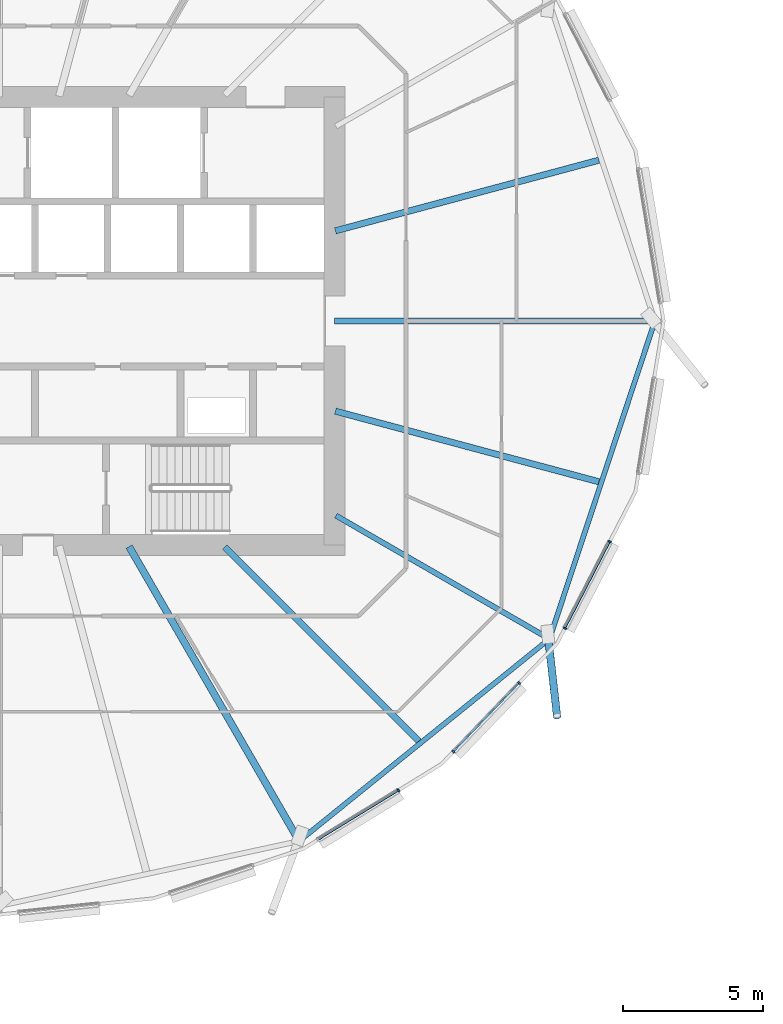
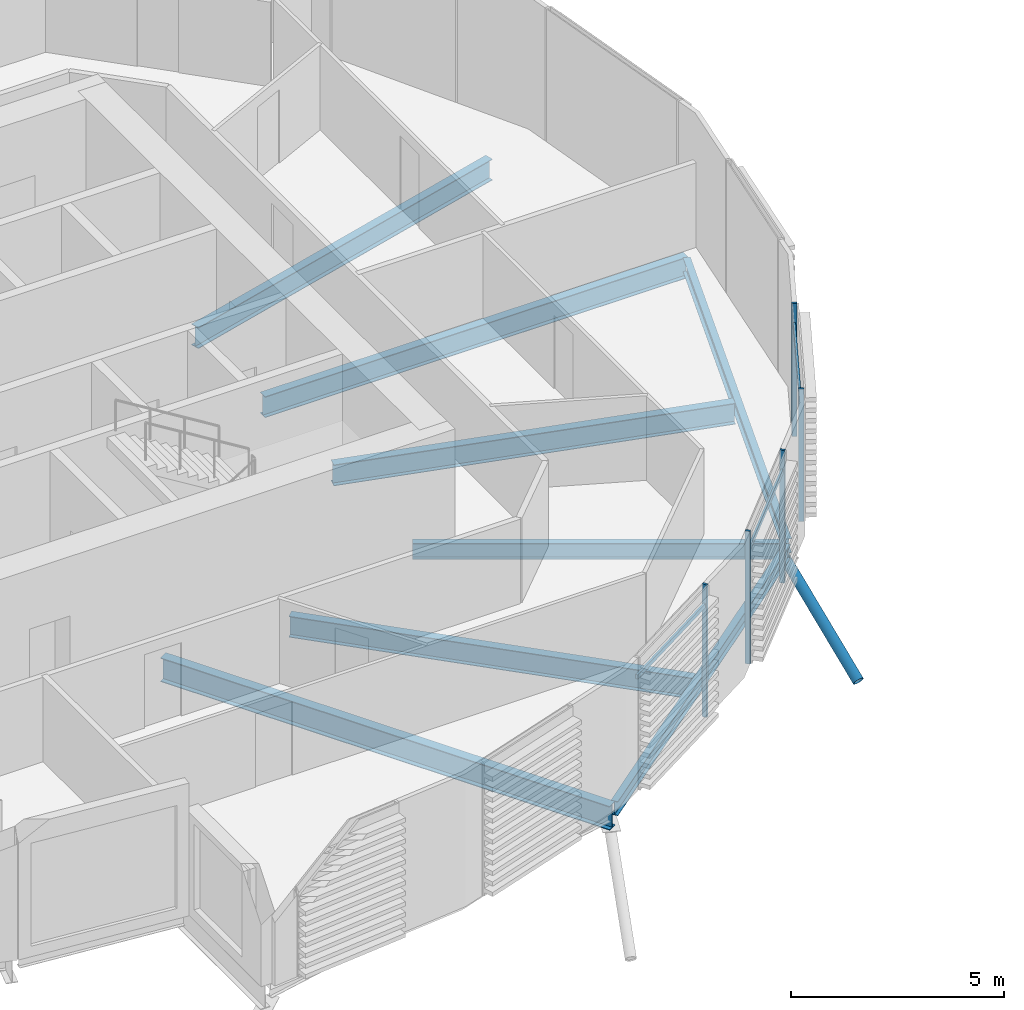
# One storey, part 7 of 42: 9 members, 8 beams, 1 element without a shape of its own.
"""IFC4 building model written with IfcOpenShell, lengths in metres."""

from ifc_helpers import new_model, si_unit, direction, frame, origin, origin_2d, place, context, subcontext, project, spatial, rectangle, hollow_circle, i_section, extrude, clip, halfspace, material, material_profile, profile_set, type_object, element, aggregate, save


model = new_model("IFC4")

# Units and contexts
model_context = context("Model", 3, precision=1e-05, world=origin(), true_north=direction((0.0, 1.0)))
body_context = subcontext(model_context, "Body", "Model", "MODEL_VIEW")
ifc_project = project(units=[si_unit("LENGTHUNIT", "METRE"), si_unit("AREAUNIT", "SQUARE_METRE"), si_unit("VOLUMEUNIT", "CUBIC_METRE"), si_unit("PLANEANGLEUNIT", "RADIAN"), si_unit("MASSUNIT", "GRAM", prefix="KILO")], contexts=[model_context])

# Site, building, storey
site_placement = place(None, origin())
site = spatial("IfcSite", under=ifc_project, at=site_placement, CompositionType="ELEMENT")
building_placement = place(site_placement, origin())
building = spatial("IfcBuilding", under=site, at=building_placement, Name="Rimbun Link Towers", CompositionType="ELEMENT")
storey_placement = place(building_placement, frame((0.0, 0.0, 85.39990234375)))
storey = spatial("IfcBuildingStorey", under=building, at=storey_placement, Name="L20", CompositionType="ELEMENT", Elevation=85.39990234375)

# Curtain wall, members
ifc_material_1 = material(Name="Aluminium 6063-T6 and low-iron glass", Category="aluminium")
curtain_wall_type = type_object("IfcCurtainWallType", Name="CW1-Z2 unitised vision wall (zone 2)", PredefinedType="NOTDEFINED", material=ifc_material_1)
curtain_wall_placement = place(storey_placement, origin())
curtain_wall = element("IfcCurtainWall", 1, at=curtain_wall_placement, inside=storey, type_object=curtain_wall_type, Name="CW1 L20 T1", PredefinedType="NOTDEFINED")
ifc_material_2 = material(Name="Aluminium 6063-T6", Category="aluminium")
ifc_material_profile_1 = material_profile(ifc_material_2, rectangle(XDim=0.1201171875, YDim=0.06005859375, at=origin_2d()), Name="MULLION 60X120")
ifc_profile_set_1 = profile_set([ifc_material_profile_1], Name="Aluminium 6063-T6")
member_type_1 = type_object("IfcMemberType", Name="CW1 mullion 60X120", PredefinedType="MULLION", material=ifc_profile_set_1)
member_1_placement = place(storey_placement, frame((-17.464111328125, -16.781494140625, 0.0), z_axis=(0.0, 0.0, 1.0), x_axis=(0.523237248968, -0.852187057689, 0.0)))
member_1 = element("IfcMember", 2, at=member_1_placement, type_object=member_type_1, Name="CW1 mullion", PredefinedType="MULLION", context=body_context, shape_type="SweptSolid", body=[
    extrude(rectangle(XDim=0.1201171875, YDim=0.06005859375, at=origin_2d()), origin(), (0.0, 0.0, 1.0), 3.800048828125),
])
member_2_placement = place(storey_placement, frame((-13.1494140625, -12.942138671875, 0.0), z_axis=(0.0, 0.0, 1.0), x_axis=(0.721839179549, -0.692060834658, 0.0)))
member_2 = element("IfcMember", 3, at=member_2_placement, type_object=member_type_1, Name="CW1 mullion", PredefinedType="MULLION", context=body_context, shape_type="SweptSolid", body=[
    extrude(rectangle(XDim=0.1201171875, YDim=0.06005859375, at=origin_2d()), origin(), (0.0, 0.0, 1.0), 3.800048828125),
])
member_3_placement = place(storey_placement, frame((-15.5029296875, -15.39697265625, 0.0), z_axis=(0.0, 0.0, 1.0), x_axis=(0.721839179549, -0.692060834658, 0.0)))
member_3 = element("IfcMember", 4, at=member_3_placement, type_object=member_type_1, Name="CW1 mullion", PredefinedType="MULLION", context=body_context, shape_type="SweptSolid", body=[
    extrude(rectangle(XDim=0.1201171875, YDim=0.06005859375, at=origin_2d()), origin(), (0.0, 0.0, 1.0), 3.800048828125),
])
member_4_placement = place(storey_placement, frame((-9.910400390625, -7.8876953125, 0.0), z_axis=(0.0, 0.0, 1.0), x_axis=(0.888154791602, -0.459544411514, 0.0)))
member_4 = element("IfcMember", 5, at=member_4_placement, type_object=member_type_1, Name="CW1 mullion", PredefinedType="MULLION", context=body_context, shape_type="SweptSolid", body=[
    extrude(rectangle(XDim=0.1201171875, YDim=0.06005859375, at=origin_2d()), origin(), (0.0, 0.0, 1.0), 3.800048828125),
])
member_5_placement = place(storey_placement, frame((-11.514404296875, -10.98779296875, 0.0), z_axis=(0.0, 0.0, 1.0), x_axis=(0.888154791602, -0.459544411514, 0.0)))
member_5 = element("IfcMember", 6, at=member_5_placement, type_object=member_type_1, Name="CW1 mullion", PredefinedType="MULLION", context=body_context, shape_type="SweptSolid", body=[
    extrude(rectangle(XDim=0.1201171875, YDim=0.06005859375, at=origin_2d()), origin(), (0.0, 0.0, 1.0), 3.800048828125),
])
ifc_material_3 = material(Name="Aluminium 6063-T6", Category="aluminium")
ifc_material_profile_2 = material_profile(ifc_material_3, rectangle(XDim=0.06005859375, YDim=0.1201171875, at=origin_2d()), Name="TRANSOM 60X120")
ifc_profile_set_2 = profile_set([ifc_material_profile_2], Name="Aluminium 6063-T6")
member_type_2 = type_object("IfcMemberType", Name="CW1 transom 60X120", PredefinedType="USERDEFINED", material=ifc_profile_set_2)
member_6_placement = place(storey_placement, frame((-17.49072265625, -16.79541015625, 3.2001953125), z_axis=(-0.852167775137, -0.523268652814, 0.0), x_axis=(0.523268652814, -0.852167775137, 0.0)))
member_6 = element("IfcMember", 7, at=member_6_placement, type_object=member_type_2, Name="CW1 transom", ObjectType="TRANSOM", PredefinedType="USERDEFINED", context=body_context, shape_type="SweptSolid", body=[
    extrude(rectangle(XDim=0.06005859375, YDim=0.1201171875, at=origin_2d()), origin(), (0.0, 0.0, 1.0), 3.321044921875),
])
member_7_placement = place(storey_placement, frame((-13.171630859375, -12.96240234375, 3.2001953125), z_axis=(-0.692078357172, -0.721822379491, 0.0), x_axis=(0.721822379491, -0.692078357172, 0.0)))
member_7 = element("IfcMember", 8, at=member_7_placement, type_object=member_type_2, Name="CW1 transom", ObjectType="TRANSOM", PredefinedType="USERDEFINED", context=body_context, shape_type="SweptSolid", body=[
    extrude(rectangle(XDim=0.06005859375, YDim=0.1201171875, at=origin_2d()), origin(), (0.0, 0.0, 1.0), 3.340576171875),
])
member_8_placement = place(storey_placement, frame((-9.92578125, -7.91357421875, 3.2001953125), z_axis=(-0.459554574482, -0.888149533059, 0.0), x_axis=(0.888149533059, -0.459554574482, 0.0)))
member_8 = element("IfcMember", 9, at=member_8_placement, type_object=member_type_2, Name="CW1 transom", ObjectType="TRANSOM", PredefinedType="USERDEFINED", context=body_context, shape_type="SweptSolid", body=[
    extrude(rectangle(XDim=0.06005859375, YDim=0.1201171875, at=origin_2d()), origin(), (0.0, 0.0, 1.0), 3.430419921875),
])
aggregate(curtain_wall, [member_1, member_2, member_3, member_4, member_5, member_6, member_7, member_8])

# Member
ifc_material_4 = material(Name="Steel S355J2H", Category="steel")
ifc_material_profile_3 = material_profile(ifc_material_4, hollow_circle(Radius=0.136474609375, WallThickness=0.012451171875, at=origin_2d()), Name="CHS 273x12.5")
ifc_profile_set_3 = profile_set([ifc_material_profile_3], Name="Steel S355J2H")
member_type_3 = type_object("IfcMemberType", Name="Floor edge link CHS 273x12.5", PredefinedType="BRACE", material=ifc_profile_set_3)
member_9_placement = place(storey_placement, frame((-12.109619140625, -11.33935546875, -0.727783203125), z_axis=(0.093828002495, -0.832669307195, -0.545763804959), x_axis=(0.993711054176, 0.111974732904, 0.0)))
element("IfcMember", 10, at=member_9_placement, inside=storey, type_object=member_type_3, Name="Floor edge link T1 L20 22", PredefinedType="BRACE", context=body_context, shape_type="Clipping", body=[
    clip(extrude(hollow_circle(Radius=0.136474609375, WallThickness=0.012451171875, at=origin_2d()), frame((0.0, 0.0, -0.4375)), (0.0, 0.0, 1.0), 3.81494140625), halfspace(frame((0.0, 0.0, -0.2060546875), z_axis=(0.0, 0.837939060551, -0.545763804959)), False)),
])

# Beams
ifc_material_5 = material(Name="Steel S355J2", Category="steel")
ifc_material_profile_4 = material_profile(ifc_material_5, i_section(OverallWidth=0.177978515625, OverallDepth=0.406494140625, WebThickness=0.0078125, FlangeThickness=0.0126953125, at=origin_2d()), Name="UB 406x178x60")
ifc_profile_set_4 = profile_set([ifc_material_profile_4], Name="Steel S355J2")
beam_type_1 = type_object("IfcBeamType", Name="UB 406x178x60", PredefinedType="BEAM", material=ifc_profile_set_4)
beam_1_placement = place(storey_placement, frame((-20.9150390625, -18.510986328125, -0.363037109375), z_axis=(0.777961133356, 0.628312402383, 0.0), x_axis=(-0.628312402383, 0.777961133356, 0.0)))
element("IfcBeam", 11, at=beam_1_placement, inside=storey, type_object=beam_type_1, Name="Edge beam T1 L20 20-22", PredefinedType="BEAM", context=body_context, shape_type="SweptSolid", body=[
    extrude(i_section(OverallWidth=0.177978515625, OverallDepth=0.406494140625, WebThickness=0.0078125, FlangeThickness=0.0126953125, at=origin_2d()), origin(), (0.0, 0.0, 1.0), 11.271484375),
])
beam_2_placement = place(storey_placement, frame((-12.035400390625, -11.271484375, -0.363037109375), z_axis=(0.314775544132, 0.949166137626, 0.0), x_axis=(-0.949166137626, 0.314775544132, 0.0)))
element("IfcBeam", 12, at=beam_2_placement, inside=storey, type_object=beam_type_1, Name="Edge beam T1 L20 22-00", PredefinedType="BEAM", context=body_context, shape_type="SweptSolid", body=[
    extrude(i_section(OverallWidth=0.177978515625, OverallDepth=0.406494140625, WebThickness=0.0078125, FlangeThickness=0.0126953125, at=origin_2d()), origin(), (0.0, 0.0, 1.0), 11.754150390625),
])
ifc_material_6 = material(Name="Steel S355J2", Category="steel")
ifc_material_profile_5 = material_profile(ifc_material_6, i_section(OverallWidth=0.18994140625, OverallDepth=0.453369140625, WebThickness=0.008544921875, FlangeThickness=0.0126953125, at=origin_2d()), Name="UB 457x191x67")
ifc_profile_set_5 = profile_set([ifc_material_profile_5], Name="Steel S355J2")
beam_type_2 = type_object("IfcBeamType", Name="UB 457x191x67", PredefinedType="BEAM", material=ifc_profile_set_5)
beam_3_placement = place(storey_placement, frame((-19.70166015625, -6.9560546875, -0.38671875), z_axis=(0.866014040261, -0.500019681684, 0.0), x_axis=(0.500019681684, 0.866014040261, 0.0)))
element("IfcBeam", 13, at=beam_3_placement, inside=storey, type_object=beam_type_2, Name="Radial beam T1 L20 22", PredefinedType="BEAM", context=body_context, shape_type="SweptSolid", body=[
    extrude(i_section(OverallWidth=0.18994140625, OverallDepth=0.453369140625, WebThickness=0.008544921875, FlangeThickness=0.0126953125, at=origin_2d()), origin(), (0.0, 0.0, 1.0), 8.816650390625),
])
ifc_material_7 = material(Name="Steel S355J2", Category="steel")
ifc_material_profile_6 = material_profile(ifc_material_7, i_section(OverallWidth=0.2275390625, OverallDepth=0.6025390625, WebThickness=0.010498046875, FlangeThickness=0.014892578125, at=origin_2d()), Name="UB 610x229x101")
ifc_profile_set_6 = profile_set([ifc_material_profile_6], Name="Steel S355J2")
beam_type_3 = type_object("IfcBeamType", Name="UB 610x229x101", PredefinedType="BEAM", material=ifc_profile_set_6)
beam_4_placement = place(storey_placement, frame((-19.7490234375, 0.0, -0.461181640625), z_axis=(1.0, 0.0, 0.0), x_axis=(0.0, 1.0, 0.0)))
element("IfcBeam", 14, at=beam_4_placement, inside=storey, type_object=beam_type_3, Name="Radial beam T1 L20 00", PredefinedType="BEAM", context=body_context, shape_type="SweptSolid", body=[
    extrude(i_section(OverallWidth=0.2275390625, OverallDepth=0.6025390625, WebThickness=0.010498046875, FlangeThickness=0.014892578125, at=origin_2d()), origin(), (0.0, 0.0, 1.0), 11.451416015625),
])
beam_5_placement = place(storey_placement, frame((-19.719482421875, 3.223388671875, -0.461181640625), z_axis=(0.965925146608, 0.258821581692, 0.0), x_axis=(-0.258821581692, 0.965925146608, 0.0)))
element("IfcBeam", 15, at=beam_5_placement, inside=storey, type_object=beam_type_3, Name="Radial beam T1 L20 01", PredefinedType="BEAM", context=body_context, shape_type="SweptSolid", body=[
    extrude(i_section(OverallWidth=0.2275390625, OverallDepth=0.6025390625, WebThickness=0.010498046875, FlangeThickness=0.014892578125, at=origin_2d()), origin(), (0.0, 0.0, 1.0), 9.75341796875),
])
beam_6_placement = place(storey_placement, frame((-23.668701171875, -8.081298828125, -0.461181640625), z_axis=(0.707106781187, -0.707106781187, 0.0), x_axis=(0.707106781187, 0.707106781187, 0.0)))
element("IfcBeam", 16, at=beam_6_placement, inside=storey, type_object=beam_type_3, Name="Radial beam T1 L20 21", PredefinedType="BEAM", context=body_context, shape_type="SweptSolid", body=[
    extrude(i_section(OverallWidth=0.2275390625, OverallDepth=0.6025390625, WebThickness=0.010498046875, FlangeThickness=0.014892578125, at=origin_2d()), origin(), (0.0, 0.0, 1.0), 9.809326171875),
])
beam_7_placement = place(storey_placement, frame((-19.719482421875, -3.223388671875, -0.461181640625), z_axis=(0.965925146608, -0.258821581692, 0.0), x_axis=(0.258821581692, 0.965925146608, 0.0)))
element("IfcBeam", 17, at=beam_7_placement, inside=storey, type_object=beam_type_3, Name="Radial beam T1 L20 23", PredefinedType="BEAM", context=body_context, shape_type="SweptSolid", body=[
    extrude(i_section(OverallWidth=0.2275390625, OverallDepth=0.6025390625, WebThickness=0.010498046875, FlangeThickness=0.014892578125, at=origin_2d()), origin(), (0.0, 0.0, 1.0), 9.75341796875),
])
ifc_material_8 = material(Name="Steel S355J2", Category="steel")
ifc_material_profile_7 = material_profile(ifc_material_8, i_section(OverallWidth=0.253662109375, OverallDepth=0.68359375, WebThickness=0.012451171875, FlangeThickness=0.01904296875, at=origin_2d()), Name="UB 686x254x140")
ifc_profile_set_7 = profile_set([ifc_material_profile_7], Name="Steel S355J2")
beam_type_4 = type_object("IfcBeamType", Name="UB 686x254x140", PredefinedType="BEAM", material=ifc_profile_set_7)
beam_8_placement = place(storey_placement, frame((-27.093994140625, -8.064208984375, -0.501708984375), z_axis=(0.499998860433, -0.866026061713, 0.0), x_axis=(0.866026061713, 0.499998860433, 0.0)))
element("IfcBeam", 18, at=beam_8_placement, inside=storey, type_object=beam_type_4, Name="Radial beam T1 L20 20", PredefinedType="BEAM", context=body_context, shape_type="SweptSolid", body=[
    extrude(i_section(OverallWidth=0.253662109375, OverallDepth=0.68359375, WebThickness=0.012451171875, FlangeThickness=0.01904296875, at=origin_2d()), origin(), (0.0, 0.0, 1.0), 12.15673828125),
])

save(model, "model.ifc")
